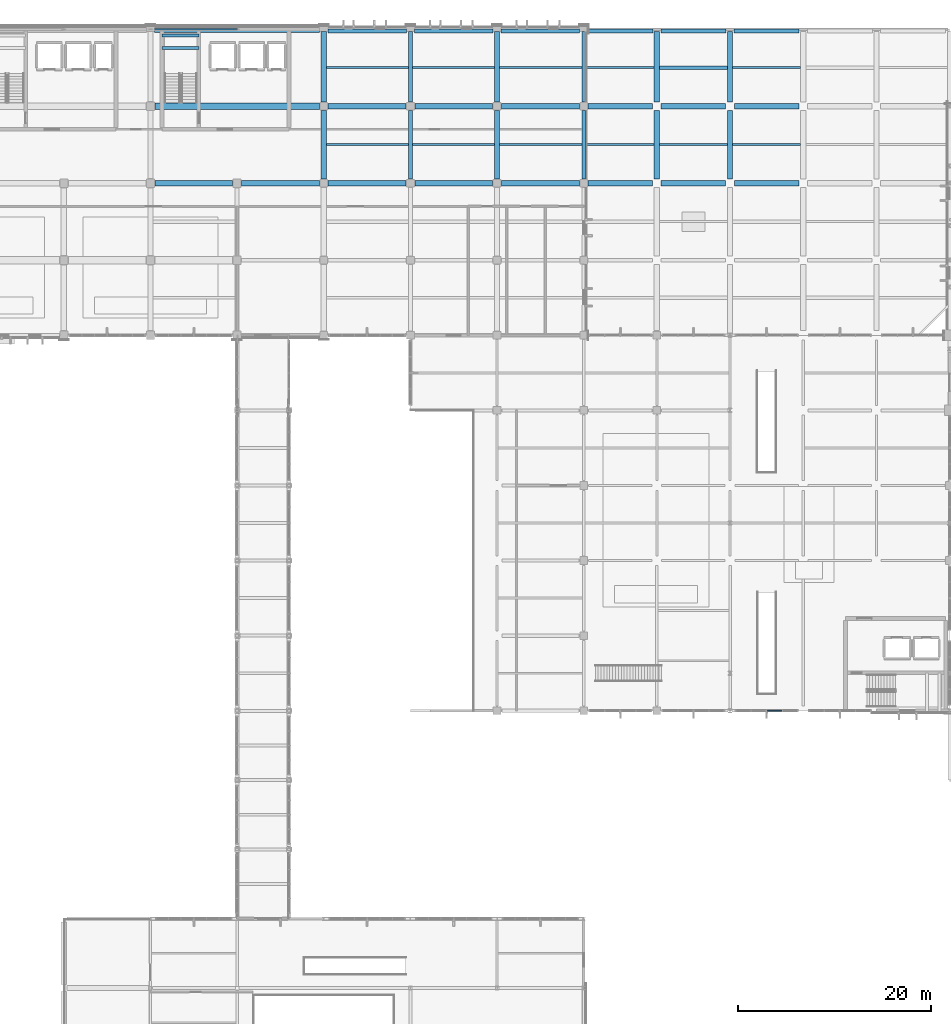
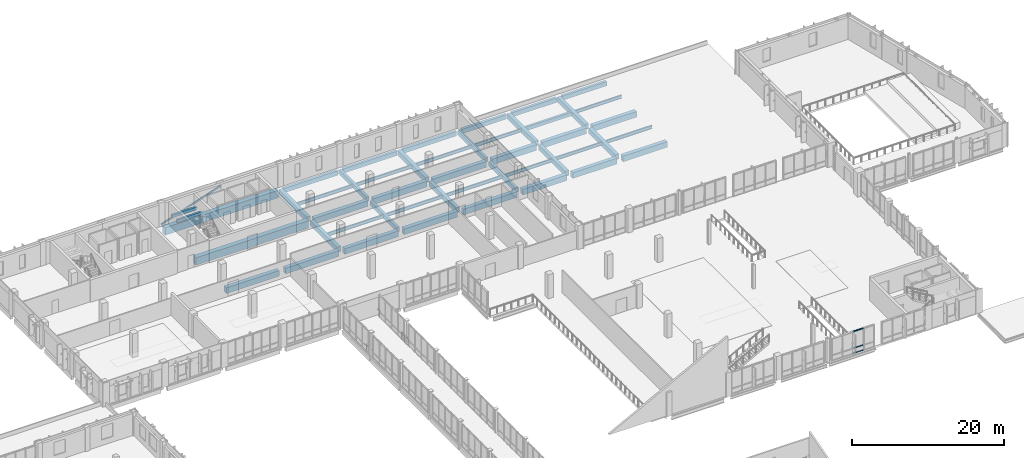
# One storey, part 37 of 85: 48 beams, 4 members, 1 element without a shape of its own.
"""IFC4 building model written with IfcOpenShell, lengths in metres."""

from ifc_helpers import new_model, si_unit, direction, frame, origin, origin_2d, place, context, subcontext, project, spatial, rectangle, hollow_rectangle, i_section, extrude, material, material_profile, profile_set, type_object, element, aggregate, save


model = new_model("IFC4")

# Units and contexts
model_context = context("Model", 3, precision=1e-05, world=origin(), true_north=direction((0.0, 1.0)))
body_context = subcontext(model_context, "Body", "Model", "MODEL_VIEW")
ifc_project = project(units=[si_unit("LENGTHUNIT", "METRE"), si_unit("AREAUNIT", "SQUARE_METRE"), si_unit("VOLUMEUNIT", "CUBIC_METRE"), si_unit("PLANEANGLEUNIT", "RADIAN"), si_unit("MASSUNIT", "GRAM", prefix="KILO")], contexts=[model_context])

# Site, building, storey
site_placement = place(None, origin())
site = spatial("IfcSite", under=ifc_project, at=site_placement, CompositionType="ELEMENT")
building_placement = place(site_placement, origin())
building = spatial("IfcBuilding", under=site, at=building_placement, Name="Vervanel Yard Central Library", CompositionType="ELEMENT")
storey_placement = place(building_placement, frame((0.0, 0.0, 5.10009765625)))
storey = spatial("IfcBuildingStorey", under=building, at=storey_placement, Name="L01", CompositionType="ELEMENT", Elevation=5.10009765625)

# Beams
ifc_material_1 = material(Name="Concrete C40/50", Category="concrete")
ifc_material_profile_1 = material_profile(ifc_material_1, rectangle(XDim=0.300048828125, YDim=0.449951171875, at=origin_2d()), Name="RC 300x450", Category="concrete")
ifc_profile_set_1 = profile_set([ifc_material_profile_1], Name="Concrete C40/50")
beam_type_1 = type_object("IfcBeamType", Name="Concrete Opening Lintel 300x450", PredefinedType="LINTEL", material=ifc_profile_set_1)
for number, where, z_axis, x_axis, name in (
    (1, (64.199951171875, 112.050048828125, 1.494873046875), (1.0, 0.0, 0.0), (0.0, 1.0, 0.0), "L01 CORE-B Stair Landing Beam 13"),
    (2, (64.199951171875, 113.35009765625, 1.494873046875), (1.0, 0.0, 0.0), (0.0, 1.0, 0.0), "L01 CORE-B Stair Landing Beam 14"),
):
    element("IfcBeam", number, at=place(storey_placement, frame(where, z_axis=z_axis, x_axis=x_axis)), inside=storey, type_object=beam_type_1, Name=name, PredefinedType="LINTEL", context=body_context, shape_type="SweptSolid", body=[
        extrude(rectangle(XDim=0.300048828125, YDim=0.449951171875, at=origin_2d()), origin(), (0.0, 0.0, 1.0), 3.824951171875),
    ])
ifc_material_profile_2 = material_profile(ifc_material_1, rectangle(XDim=0.39990234375, YDim=0.699951171875, at=origin_2d()), Name="RC 400x700", Category="concrete")
ifc_profile_set_2 = profile_set([ifc_material_profile_2], Name="Concrete C40/50")
beam_type_2 = type_object("IfcBeamType", Name="Concrete Perimeter Spandrel 400x700", PredefinedType="SPANDREL", material=ifc_profile_set_2)
for number, where, z_axis, x_axis, name in (
    (3, (81.425048828125, 113.800048828125, -0.655029296875), (1.0, 0.0, 0.0), (0.0, 1.0, 0.0), "L01 Girder SP-01 Y=114.0 X=81.0-90.0"),
    (4, (90.425048828125, 113.800048828125, -0.655029296875), (1.0, 0.0, 0.0), (0.0, 1.0, 0.0), "L01 Girder SP-01 Y=114.0 X=90.0-99.0"),
    (5, (99.425048828125, 113.800048828125, -0.655029296875), (1.0, 0.0, 0.0), (0.0, 1.0, 0.0), "L01 Girder SP-01 Y=114.0 X=99.0-108.0"),
):
    element("IfcBeam", number, at=place(storey_placement, frame(where, z_axis=z_axis, x_axis=x_axis)), inside=storey, type_object=beam_type_2, Name=name, PredefinedType="SPANDREL", context=body_context, shape_type="SweptSolid", body=[
        extrude(rectangle(XDim=0.39990234375, YDim=0.699951171875, at=origin_2d()), origin(), (0.0, 0.0, 1.0), 8.14990234375),
    ])
for number, where, z_axis, x_axis, name in (
    (6, (108.425048828125, 113.800048828125, -0.60498046875), (1.0, 0.0, 0.0), (0.0, 1.0, 0.0), "L01 Girder SP-01 Y=114.0 X=108.0-115.6"),
    (7, (116.02490234375, 113.800048828125, -0.60498046875), (1.0, 0.0, 0.0), (0.0, 1.0, 0.0), "L01 Girder SP-01 Y=114.0 X=115.6-123.2"),
    (8, (123.625, 113.800048828125, -0.60498046875), (1.0, 0.0, 0.0), (0.0, 1.0, 0.0), "L01 Girder SP-01 Y=114.0 X=123.2-130.8"),
):
    element("IfcBeam", number, at=place(storey_placement, frame(where, z_axis=z_axis, x_axis=x_axis)), inside=storey, type_object=beam_type_2, Name=name, PredefinedType="SPANDREL", context=body_context, shape_type="SweptSolid", body=[
        extrude(rectangle(XDim=0.39990234375, YDim=0.699951171875, at=origin_2d()), origin(), (0.0, 0.0, 1.0), 6.75),
    ])
beam_1_placement = place(storey_placement, frame((90.0, 98.449951171875, -0.655029296875), z_axis=(0.0, 1.0, 0.0), x_axis=(-1.0, 0.0, 0.0)))
element("IfcBeam", 9, at=beam_1_placement, inside=storey, type_object=beam_type_2, Name="L01 Girder SP-01 X=90.0 Y=98.0-106.0", PredefinedType="SPANDREL", context=body_context, shape_type="SweptSolid", body=[
    extrude(rectangle(XDim=0.39990234375, YDim=0.699951171875, at=origin_2d()), origin(), (0.0, 0.0, 1.0), 7.10009765625),
])
beam_2_placement = place(storey_placement, frame((90.0, 106.449951171875, -0.655029296875), z_axis=(0.0, 1.0, 0.0), x_axis=(-1.0, 0.0, 0.0)))
element("IfcBeam", 10, at=beam_2_placement, inside=storey, type_object=beam_type_2, Name="L01 Girder SP-01 X=90.0 Y=106.0-114.0", PredefinedType="SPANDREL", context=body_context, shape_type="SweptSolid", body=[
    extrude(rectangle(XDim=0.39990234375, YDim=0.699951171875, at=origin_2d()), origin(), (0.0, 0.0, 1.0), 7.324951171875),
])
beam_3_placement = place(storey_placement, frame((108.0, 98.449951171875, -0.655029296875), z_axis=(0.0, 1.0, 0.0), x_axis=(-1.0, 0.0, 0.0)))
element("IfcBeam", 11, at=beam_3_placement, inside=storey, type_object=beam_type_2, Name="L01 Girder SP-01 X=108.0 Y=98.0-106.0", PredefinedType="SPANDREL", context=body_context, shape_type="SweptSolid", body=[
    extrude(rectangle(XDim=0.39990234375, YDim=0.699951171875, at=origin_2d()), origin(), (0.0, 0.0, 1.0), 7.10009765625),
])
beam_4_placement = place(storey_placement, frame((108.0, 106.449951171875, -0.655029296875), z_axis=(0.0, 1.0, 0.0), x_axis=(-1.0, 0.0, 0.0)))
element("IfcBeam", 12, at=beam_4_placement, inside=storey, type_object=beam_type_2, Name="L01 Girder SP-01 X=108.0 Y=106.0-114.0", PredefinedType="SPANDREL", context=body_context, shape_type="SweptSolid", body=[
    extrude(rectangle(XDim=0.39990234375, YDim=0.699951171875, at=origin_2d()), origin(), (0.0, 0.0, 1.0), 7.324951171875),
])
ifc_material_profile_3 = material_profile(ifc_material_1, rectangle(XDim=0.550048828125, YDim=0.800048828125, at=origin_2d()), Name="RC 550x800", Category="concrete")
ifc_profile_set_3 = profile_set([ifc_material_profile_3], Name="Concrete C40/50")
beam_type_3 = type_object("IfcBeamType", Name="Concrete Primary Girder 550x800", PredefinedType="BEAM", material=ifc_profile_set_3)
beam_5_placement = place(storey_placement, frame((81.0, 98.449951171875, -0.705078125), z_axis=(0.0, 1.0, 0.0), x_axis=(-1.0, 0.0, 0.0)))
element("IfcBeam", 13, at=beam_5_placement, inside=storey, type_object=beam_type_3, Name="L01 Girder CB-02 X=81.0 Y=98.0-106.0", PredefinedType="BEAM", context=body_context, shape_type="SweptSolid", body=[
    extrude(rectangle(XDim=0.550048828125, YDim=0.800048828125, at=origin_2d()), origin(), (0.0, 0.0, 1.0), 7.10009765625),
])
beam_6_placement = place(storey_placement, frame((81.0, 106.449951171875, -0.705078125), z_axis=(0.0, 1.0, 0.0), x_axis=(-1.0, 0.0, 0.0)))
element("IfcBeam", 14, at=beam_6_placement, inside=storey, type_object=beam_type_3, Name="L01 Girder CB-02 X=81.0 Y=106.0-114.0", PredefinedType="BEAM", context=body_context, shape_type="SweptSolid", body=[
    extrude(rectangle(XDim=0.550048828125, YDim=0.800048828125, at=origin_2d()), origin(), (0.0, 0.0, 1.0), 7.324951171875),
])
beam_7_placement = place(storey_placement, frame((99.0, 98.449951171875, -0.705078125), z_axis=(0.0, 1.0, 0.0), x_axis=(-1.0, 0.0, 0.0)))
element("IfcBeam", 15, at=beam_7_placement, inside=storey, type_object=beam_type_3, Name="L01 Girder CB-02 X=99.0 Y=98.0-106.0", PredefinedType="BEAM", context=body_context, shape_type="SweptSolid", body=[
    extrude(rectangle(XDim=0.550048828125, YDim=0.800048828125, at=origin_2d()), origin(), (0.0, 0.0, 1.0), 7.10009765625),
])
beam_8_placement = place(storey_placement, frame((99.0, 106.449951171875, -0.705078125), z_axis=(0.0, 1.0, 0.0), x_axis=(-1.0, 0.0, 0.0)))
element("IfcBeam", 16, at=beam_8_placement, inside=storey, type_object=beam_type_3, Name="L01 Girder CB-02 X=99.0 Y=106.0-114.0", PredefinedType="BEAM", context=body_context, shape_type="SweptSolid", body=[
    extrude(rectangle(XDim=0.550048828125, YDim=0.800048828125, at=origin_2d()), origin(), (0.0, 0.0, 1.0), 7.324951171875),
])
beam_9_placement = place(storey_placement, frame((115.60009765625, 98.449951171875, -0.655029296875), z_axis=(0.0, 1.0, 0.0), x_axis=(-1.0, 0.0, 0.0)))
element("IfcBeam", 17, at=beam_9_placement, inside=storey, type_object=beam_type_3, Name="L01 Girder CB-02 X=115.6 Y=98.0-106.0", PredefinedType="BEAM", context=body_context, shape_type="SweptSolid", body=[
    extrude(rectangle(XDim=0.550048828125, YDim=0.800048828125, at=origin_2d()), origin(), (0.0, 0.0, 1.0), 7.10009765625),
])
beam_10_placement = place(storey_placement, frame((115.60009765625, 106.449951171875, -0.655029296875), z_axis=(0.0, 1.0, 0.0), x_axis=(-1.0, 0.0, 0.0)))
element("IfcBeam", 18, at=beam_10_placement, inside=storey, type_object=beam_type_3, Name="L01 Girder CB-02 X=115.6 Y=106.0-114.0", PredefinedType="BEAM", context=body_context, shape_type="SweptSolid", body=[
    extrude(rectangle(XDim=0.550048828125, YDim=0.800048828125, at=origin_2d()), origin(), (0.0, 0.0, 1.0), 7.324951171875),
])
beam_11_placement = place(storey_placement, frame((123.199951171875, 98.449951171875, -0.655029296875), z_axis=(0.0, 1.0, 0.0), x_axis=(-1.0, 0.0, 0.0)))
element("IfcBeam", 19, at=beam_11_placement, inside=storey, type_object=beam_type_3, Name="L01 Girder CB-02 X=123.2 Y=98.0-106.0", PredefinedType="BEAM", context=body_context, shape_type="SweptSolid", body=[
    extrude(rectangle(XDim=0.550048828125, YDim=0.800048828125, at=origin_2d()), origin(), (0.0, 0.0, 1.0), 7.10009765625),
])
beam_12_placement = place(storey_placement, frame((123.199951171875, 106.449951171875, -0.655029296875), z_axis=(0.0, 1.0, 0.0), x_axis=(-1.0, 0.0, 0.0)))
element("IfcBeam", 20, at=beam_12_placement, inside=storey, type_object=beam_type_3, Name="L01 Girder CB-02 X=123.2 Y=106.0-114.0", PredefinedType="BEAM", context=body_context, shape_type="SweptSolid", body=[
    extrude(rectangle(XDim=0.550048828125, YDim=0.800048828125, at=origin_2d()), origin(), (0.0, 0.0, 1.0), 7.324951171875),
])
ifc_material_profile_4 = material_profile(ifc_material_1, rectangle(XDim=0.35009765625, YDim=0.60009765625, at=origin_2d()), Name="RC 350x600", Category="concrete")
ifc_profile_set_4 = profile_set([ifc_material_profile_4], Name="Concrete C40/50")
beam_type_4 = type_object("IfcBeamType", Name="Concrete Secondary Joist 350x600", PredefinedType="JOIST", material=ifc_profile_set_4)
beam_13_placement = place(storey_placement, frame((115.875, 110.0, -0.55517578125), z_axis=(1.0, 0.0, 0.0), x_axis=(0.0, 1.0, 0.0)))
element("IfcBeam", 21, at=beam_13_placement, inside=storey, type_object=beam_type_4, Name="L01 Floor Joist CJ-01 Y=110.00 X=115.6-123.2", PredefinedType="JOIST", context=body_context, shape_type="SweptSolid", body=[
    extrude(rectangle(XDim=0.35009765625, YDim=0.60009765625, at=origin_2d()), origin(), (0.0, 0.0, 1.0), 7.050048828125),
])
ifc_material_2 = material(Name="Concrete C45/55", Category="concrete")
ifc_material_profile_5 = material_profile(ifc_material_2, rectangle(XDim=0.60009765625, YDim=0.919921875, at=origin_2d()), Name="RC 600x920", Category="concrete")
ifc_profile_set_5 = profile_set([ifc_material_profile_5], Name="Concrete C45/55")
beam_type_5 = type_object("IfcBeamType", Name="Concrete Stack Girder 600x920", PredefinedType="BEAM", material=ifc_profile_set_5)
beam_14_placement = place(storey_placement, frame((63.47509765625, 98.0, -0.76513671875), z_axis=(1.0, 0.0, 0.0), x_axis=(0.0, 1.0, 0.0)))
element("IfcBeam", 22, at=beam_14_placement, inside=storey, type_object=beam_type_5, Name="L01 Girder CB-07 Y=98.0 X=63.0-72.0", PredefinedType="BEAM", context=body_context, shape_type="SweptSolid", body=[
    extrude(rectangle(XDim=0.60009765625, YDim=0.919921875, at=origin_2d()), origin(), (0.0, 0.0, 1.0), 8.0498046875),
])
beam_15_placement = place(storey_placement, frame((72.47509765625, 98.0, -0.76513671875), z_axis=(1.0, 0.0, 0.0), x_axis=(0.0, 1.0, 0.0)))
element("IfcBeam", 23, at=beam_15_placement, inside=storey, type_object=beam_type_5, Name="L01 Girder CB-07 Y=98.0 X=72.0-81.0", PredefinedType="BEAM", context=body_context, shape_type="SweptSolid", body=[
    extrude(rectangle(XDim=0.60009765625, YDim=0.919921875, at=origin_2d()), origin(), (0.0, 0.0, 1.0), 8.074951171875),
])
for number, where, z_axis, x_axis, name in (
    (24, (81.449951171875, 98.0, -0.76513671875), (1.0, 0.0, 0.0), (0.0, 1.0, 0.0), "L01 Girder CB-07 Y=98.0 X=81.0-90.0"),
    (25, (90.449951171875, 98.0, -0.76513671875), (1.0, 0.0, 0.0), (0.0, 1.0, 0.0), "L01 Girder CB-07 Y=98.0 X=90.0-99.0"),
    (26, (99.449951171875, 98.0, -0.76513671875), (1.0, 0.0, 0.0), (0.0, 1.0, 0.0), "L01 Girder CB-07 Y=98.0 X=99.0-108.0"),
):
    element("IfcBeam", number, at=place(storey_placement, frame(where, z_axis=z_axis, x_axis=x_axis)), inside=storey, type_object=beam_type_5, Name=name, PredefinedType="BEAM", context=body_context, shape_type="SweptSolid", body=[
        extrude(rectangle(XDim=0.60009765625, YDim=0.919921875, at=origin_2d()), origin(), (0.0, 0.0, 1.0), 8.10009765625),
    ])
for number, where, z_axis, x_axis, name in (
    (27, (108.449951171875, 98.0, -0.715087890625), (1.0, 0.0, 0.0), (0.0, 1.0, 0.0), "L01 Girder CB-07 Y=98.0 X=108.0-115.6"),
    (28, (116.050048828125, 98.0, -0.715087890625), (1.0, 0.0, 0.0), (0.0, 1.0, 0.0), "L01 Girder CB-07 Y=98.0 X=115.6-123.2"),
):
    element("IfcBeam", number, at=place(storey_placement, frame(where, z_axis=z_axis, x_axis=x_axis)), inside=storey, type_object=beam_type_5, Name=name, PredefinedType="BEAM", context=body_context, shape_type="SweptSolid", body=[
        extrude(rectangle(XDim=0.60009765625, YDim=0.919921875, at=origin_2d()), origin(), (0.0, 0.0, 1.0), 6.699951171875),
    ])
beam_16_placement = place(storey_placement, frame((123.64990234375, 98.0, -0.715087890625), z_axis=(1.0, 0.0, 0.0), x_axis=(0.0, 1.0, 0.0)))
element("IfcBeam", 29, at=beam_16_placement, inside=storey, type_object=beam_type_5, Name="L01 Girder CB-07 Y=98.0 X=123.2-130.8", PredefinedType="BEAM", context=body_context, shape_type="SweptSolid", body=[
    extrude(rectangle(XDim=0.60009765625, YDim=0.919921875, at=origin_2d()), origin(), (0.0, 0.0, 1.0), 6.7001953125),
])
for number, where, z_axis, x_axis, name in (
    (30, (81.449951171875, 106.0, -0.76513671875), (1.0, 0.0, 0.0), (0.0, 1.0, 0.0), "L01 Girder CB-07 Y=106.0 X=81.0-90.0"),
    (31, (90.449951171875, 106.0, -0.76513671875), (1.0, 0.0, 0.0), (0.0, 1.0, 0.0), "L01 Girder CB-07 Y=106.0 X=90.0-99.0"),
    (32, (99.449951171875, 106.0, -0.76513671875), (1.0, 0.0, 0.0), (0.0, 1.0, 0.0), "L01 Girder CB-07 Y=106.0 X=99.0-108.0"),
):
    element("IfcBeam", number, at=place(storey_placement, frame(where, z_axis=z_axis, x_axis=x_axis)), inside=storey, type_object=beam_type_5, Name=name, PredefinedType="BEAM", context=body_context, shape_type="SweptSolid", body=[
        extrude(rectangle(XDim=0.60009765625, YDim=0.919921875, at=origin_2d()), origin(), (0.0, 0.0, 1.0), 8.10009765625),
    ])
for number, where, z_axis, x_axis, name in (
    (33, (108.449951171875, 106.0, -0.715087890625), (1.0, 0.0, 0.0), (0.0, 1.0, 0.0), "L01 Girder CB-07 Y=106.0 X=108.0-115.6"),
    (34, (116.050048828125, 106.0, -0.715087890625), (1.0, 0.0, 0.0), (0.0, 1.0, 0.0), "L01 Girder CB-07 Y=106.0 X=115.6-123.2"),
):
    element("IfcBeam", number, at=place(storey_placement, frame(where, z_axis=z_axis, x_axis=x_axis)), inside=storey, type_object=beam_type_5, Name=name, PredefinedType="BEAM", context=body_context, shape_type="SweptSolid", body=[
        extrude(rectangle(XDim=0.60009765625, YDim=0.919921875, at=origin_2d()), origin(), (0.0, 0.0, 1.0), 6.699951171875),
    ])
beam_17_placement = place(storey_placement, frame((123.64990234375, 106.0, -0.715087890625), z_axis=(1.0, 0.0, 0.0), x_axis=(0.0, 1.0, 0.0)))
element("IfcBeam", 35, at=beam_17_placement, inside=storey, type_object=beam_type_5, Name="L01 Girder CB-07 Y=106.0 X=123.2-130.8", PredefinedType="BEAM", context=body_context, shape_type="SweptSolid", body=[
    extrude(rectangle(XDim=0.60009765625, YDim=0.919921875, at=origin_2d()), origin(), (0.0, 0.0, 1.0), 6.7001953125),
])
ifc_material_profile_6 = material_profile(ifc_material_2, rectangle(XDim=0.699951171875, YDim=1.199951171875, at=origin_2d()), Name="RC 700x1200", Category="concrete")
ifc_profile_set_6 = profile_set([ifc_material_profile_6], Name="Concrete C45/55")
beam_type_6 = type_object("IfcBeamType", Name="Concrete Transfer Girder 700x1200", PredefinedType="BEAM", material=ifc_profile_set_6)
beam_18_placement = place(storey_placement, frame((63.47509765625, 106.0, -0.905029296875), z_axis=(1.0, 0.0, 0.0), x_axis=(0.0, 1.0, 0.0)))
element("IfcBeam", 36, at=beam_18_placement, inside=storey, type_object=beam_type_6, Name="L01 Girder TG-01 Y=106.0 X=63.0-81.0", PredefinedType="BEAM", context=body_context, shape_type="SweptSolid", body=[
    extrude(rectangle(XDim=0.699951171875, YDim=1.199951171875, at=origin_2d()), origin(), (0.0, 0.0, 1.0), 17.074951171875),
])
beam_19_placement = place(storey_placement, frame((63.425048828125, 114.0, -0.905029296875), z_axis=(1.0, 0.0, 0.0), x_axis=(0.0, 1.0, 0.0)))
element("IfcBeam", 37, at=beam_19_placement, inside=storey, type_object=beam_type_6, Name="L01 Girder TG-01 Y=114.0 X=63.0-81.0", PredefinedType="BEAM", context=body_context, shape_type="SweptSolid", body=[
    extrude(rectangle(XDim=0.699951171875, YDim=1.199951171875, at=origin_2d()), origin(), (0.0, 0.0, 1.0), 17.14990234375),
])

# Member
ifc_material_3 = material(Name="Steel ASTM A500 Grade C", Category="steel")
ifc_material_profile_7 = material_profile(ifc_material_3, hollow_rectangle(XDim=0.15234375, YDim=0.25390625, WallThickness=0.01171875, at=origin_2d()), Name="HSS10X6X1/2", Category="steel")
ifc_profile_set_7 = profile_set([ifc_material_profile_7], Name="Steel ASTM A500 Grade C")
member_type_1 = type_object("IfcMemberType", Name="Lateral Frame Brace HSS10X6X1/2", PredefinedType="BRACE", material=ifc_profile_set_7)
member_1_placement = place(storey_placement, frame((63.0, 114.0, 0.14990234375), z_axis=(0.946935147416, 0.0, 0.321424682607), x_axis=(0.0, 1.0, 0.0)))
element("IfcMember", 38, at=member_1_placement, inside=storey, type_object=member_type_1, Name="L01 Stack Spine Lateral Brace 4", PredefinedType="BRACE", context=body_context, shape_type="SweptSolid", body=[
    extrude(hollow_rectangle(XDim=0.15234375, YDim=0.25390625, WallThickness=0.01171875, at=origin_2d()), origin(), (0.0, 0.0, 1.0), 9.50439453125),
])

# Curtain wall, members
ifc_material_4 = material(Name="Thermally broken anodized aluminium 6063-T6", Category="aluminium")
curtain_wall_type = type_object("IfcCurtainWallType", Name="Reading Hall Full-Height Curtain Wall", PredefinedType="NOTDEFINED", material=ifc_material_4)
curtain_wall_placement = place(storey_placement, origin())
curtain_wall = element("IfcCurtainWall", 39, at=curtain_wall_placement, inside=storey, type_object=curtain_wall_type, Name="L01 Reading Hall Full-Height Curtain Wall CWR-L01-065", PredefinedType="NOTDEFINED")
ifc_material_profile_8 = material_profile(ifc_material_4, rectangle(XDim=0.070068359375, YDim=0.14990234375, at=origin_2d()), Name="ALU 70x150", Category="aluminium")
ifc_profile_set_8 = profile_set([ifc_material_profile_8], Name="Thermally broken anodized aluminium 6063-T6")
member_type_2 = type_object("IfcMemberType", Name="Reading Hall Deep Transom 70x150", PredefinedType="NOTDEFINED", material=ifc_profile_set_8)
member_2_placement = place(storey_placement, frame((127.070068359375, 43.199951171875, 0.034912109375), z_axis=(1.0, 0.0, 0.0), x_axis=(0.0, 0.0, 1.0)))
member_2 = element("IfcMember", 40, at=member_2_placement, type_object=member_type_2, Name="CWR-L01-065 Transom B1-T1", ObjectType="TRANSOM", PredefinedType="USERDEFINED", context=body_context, shape_type="SweptSolid", body=[
    extrude(rectangle(XDim=0.070068359375, YDim=0.14990234375, at=origin_2d()), origin(), (0.0, 0.0, 1.0), 1.514892578125),
])
member_3_placement = place(storey_placement, frame((127.070068359375, 43.199951171875, 0.849853515625), z_axis=(1.0, 0.0, 0.0), x_axis=(0.0, 0.0, 1.0)))
member_3 = element("IfcMember", 41, at=member_3_placement, type_object=member_type_2, Name="CWR-L01-065 Transom B1-T2", ObjectType="TRANSOM", PredefinedType="USERDEFINED", context=body_context, shape_type="SweptSolid", body=[
    extrude(rectangle(XDim=0.070068359375, YDim=0.14990234375, at=origin_2d()), origin(), (0.0, 0.0, 1.0), 1.514892578125),
])
member_4_placement = place(storey_placement, frame((127.070068359375, 43.199951171875, 3.494873046875), z_axis=(1.0, 0.0, 0.0), x_axis=(0.0, 0.0, 1.0)))
member_4 = element("IfcMember", 42, at=member_4_placement, type_object=member_type_2, Name="CWR-L01-065 Transom B1-T3", ObjectType="TRANSOM", PredefinedType="USERDEFINED", context=body_context, shape_type="SweptSolid", body=[
    extrude(rectangle(XDim=0.070068359375, YDim=0.14990234375, at=origin_2d()), origin(), (0.0, 0.0, 1.0), 1.514892578125),
])
aggregate(curtain_wall, [member_2, member_3, member_4])

# Beams
ifc_material_5 = material(Name="Steel ASTM A992 Grade 50", Category="steel")
ifc_material_profile_9 = material_profile(ifc_material_5, i_section(OverallWidth=0.2099609375, OverallDepth=0.535888671875, WebThickness=0.010986328125, FlangeThickness=0.017333984375, at=origin_2d()), Name="W21X68", Category="steel")
ifc_profile_set_9 = profile_set([ifc_material_profile_9], Name="Steel ASTM A992 Grade 50")
beam_type_7 = type_object("IfcBeamType", Name="Steel Stack Floor Joist W21X68", PredefinedType="JOIST", material=ifc_profile_set_9)
for number, where, z_axis, x_axis, name in (
    (43, (81.27490234375, 102.0, -0.572998046875), (1.0, 0.0, 0.0), (0.0, 1.0, 0.0), "L01 Floor Joist SJ-04 Y=102.00 X=81.0-90.0"),
    (44, (81.27490234375, 110.0, -0.572998046875), (1.0, 0.0, 0.0), (0.0, 1.0, 0.0), "L01 Floor Joist SJ-04 Y=110.00 X=81.0-90.0"),
    (45, (90.199951171875, 102.0, -0.572998046875), (1.0, 0.0, 0.0), (0.0, 1.0, 0.0), "L01 Floor Joist SJ-04 Y=102.00 X=90.0-99.0"),
    (46, (90.199951171875, 110.0, -0.572998046875), (1.0, 0.0, 0.0), (0.0, 1.0, 0.0), "L01 Floor Joist SJ-04 Y=110.00 X=90.0-99.0"),
    (47, (99.27490234375, 102.0, -0.572998046875), (1.0, 0.0, 0.0), (0.0, 1.0, 0.0), "L01 Floor Joist SJ-04 Y=102.00 X=99.0-108.0"),
    (48, (99.27490234375, 110.0, -0.572998046875), (1.0, 0.0, 0.0), (0.0, 1.0, 0.0), "L01 Floor Joist SJ-04 Y=110.00 X=99.0-108.0"),
):
    element("IfcBeam", number, at=place(storey_placement, frame(where, z_axis=z_axis, x_axis=x_axis)), inside=storey, type_object=beam_type_7, Name=name, PredefinedType="JOIST", context=body_context, shape_type="SweptSolid", body=[
        extrude(i_section(OverallWidth=0.2099609375, OverallDepth=0.535888671875, WebThickness=0.010986328125, FlangeThickness=0.017333984375, at=origin_2d()), origin(), (0.0, 0.0, 1.0), 8.525146484375),
    ])
for number, where, z_axis, x_axis, name in (
    (49, (108.199951171875, 102.0, -0.572998046875), (1.0, 0.0, 0.0), (0.0, 1.0, 0.0), "L01 Floor Joist SJ-04 Y=102.00 X=108.0-115.6"),
    (50, (108.199951171875, 110.0, -0.572998046875), (1.0, 0.0, 0.0), (0.0, 1.0, 0.0), "L01 Floor Joist SJ-04 Y=110.00 X=108.0-115.6"),
):
    element("IfcBeam", number, at=place(storey_placement, frame(where, z_axis=z_axis, x_axis=x_axis)), inside=storey, type_object=beam_type_7, Name=name, PredefinedType="JOIST", context=body_context, shape_type="SweptSolid", body=[
        extrude(i_section(OverallWidth=0.2099609375, OverallDepth=0.535888671875, WebThickness=0.010986328125, FlangeThickness=0.017333984375, at=origin_2d()), origin(), (0.0, 0.0, 1.0), 7.125),
    ])
beam_20_placement = place(storey_placement, frame((115.875, 102.0, -0.52294921875), z_axis=(1.0, 0.0, 0.0), x_axis=(0.0, 1.0, 0.0)))
element("IfcBeam", 51, at=beam_20_placement, inside=storey, type_object=beam_type_7, Name="L01 Floor Joist SJ-04 Y=102.00 X=115.6-123.2", PredefinedType="JOIST", context=body_context, shape_type="SweptSolid", body=[
    extrude(i_section(OverallWidth=0.2099609375, OverallDepth=0.535888671875, WebThickness=0.010986328125, FlangeThickness=0.017333984375, at=origin_2d()), origin(), (0.0, 0.0, 1.0), 7.050048828125),
])
for number, where, z_axis, x_axis, name in (
    (52, (123.47509765625, 102.0, -0.52294921875), (1.0, 0.0, 0.0), (0.0, 1.0, 0.0), "L01 Floor Joist SJ-04 Y=102.00 X=123.2-130.8"),
    (53, (123.47509765625, 110.0, -0.52294921875), (1.0, 0.0, 0.0), (0.0, 1.0, 0.0), "L01 Floor Joist SJ-04 Y=110.00 X=123.2-130.8"),
):
    element("IfcBeam", number, at=place(storey_placement, frame(where, z_axis=z_axis, x_axis=x_axis)), inside=storey, type_object=beam_type_7, Name=name, PredefinedType="JOIST", context=body_context, shape_type="SweptSolid", body=[
        extrude(i_section(OverallWidth=0.2099609375, OverallDepth=0.535888671875, WebThickness=0.010986328125, FlangeThickness=0.017333984375, at=origin_2d()), origin(), (0.0, 0.0, 1.0), 7.0498046875),
    ])

save(model, "model.ifc")
